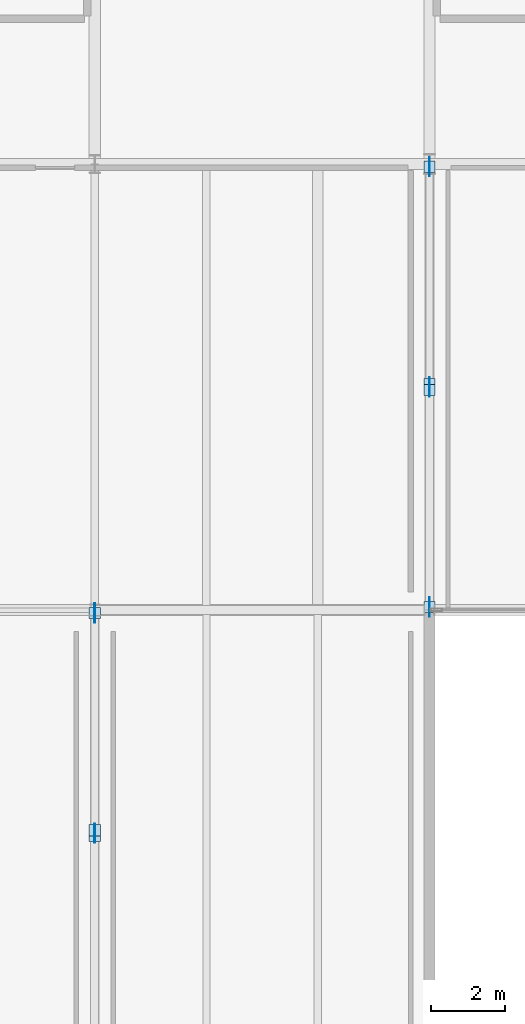
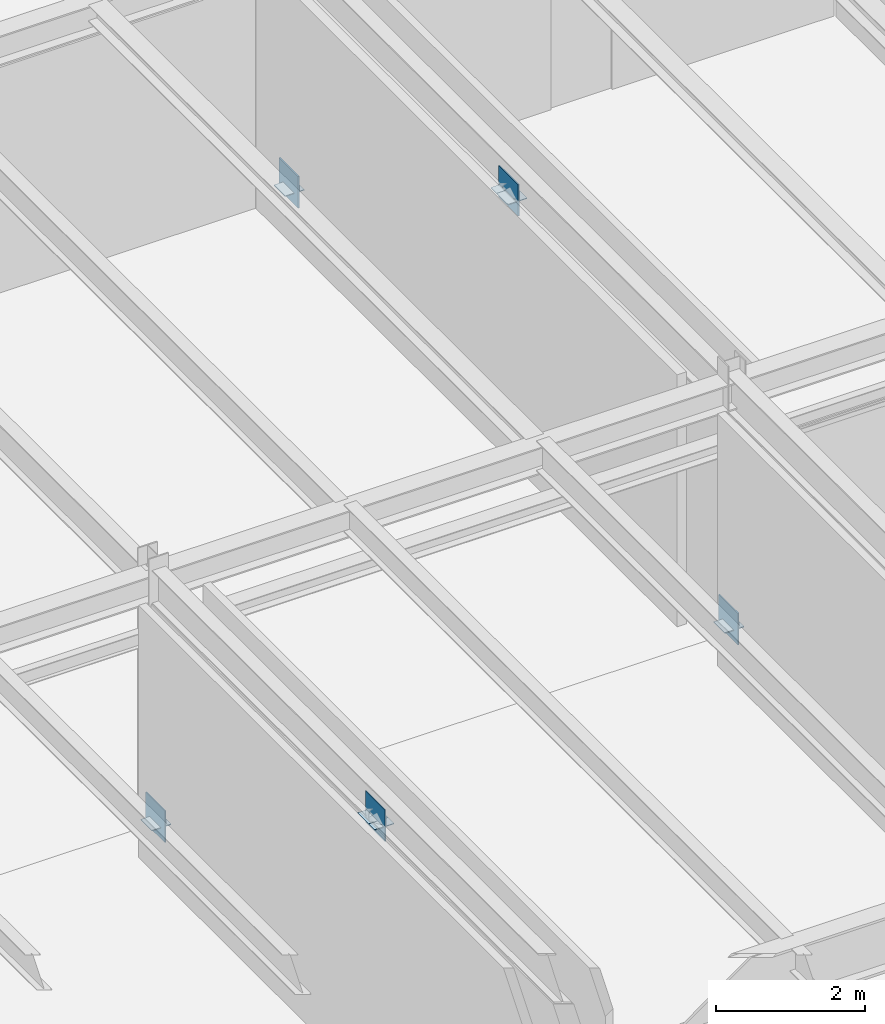
# One storey, part 100 of 115: 12 plates.
"""IFC4 building model written with IfcOpenShell, lengths in metres."""

from ifc_helpers import new_model, si_unit, direction, frame, origin, origin_2d, place, context, subcontext, project, spatial, rectangle, extrude, material, layer, layer_set, type_object, element, save


model = new_model("IFC4")

# Units and contexts
model_context = context("Model", 3, precision=1e-05, world=origin(), true_north=direction((0.0, 1.0)))
body_context = subcontext(model_context, "Body", "Model", "MODEL_VIEW")
ifc_project = project(units=[si_unit("LENGTHUNIT", "METRE"), si_unit("AREAUNIT", "SQUARE_METRE"), si_unit("VOLUMEUNIT", "CUBIC_METRE"), si_unit("PLANEANGLEUNIT", "RADIAN"), si_unit("MASSUNIT", "GRAM", prefix="KILO")], contexts=[model_context])

# Site, building, storey
site_placement = place(None, origin())
site = spatial("IfcSite", under=ifc_project, at=site_placement, CompositionType="ELEMENT")
building_placement = place(site_placement, origin())
building = spatial("IfcBuilding", under=site, at=building_placement, Name="Montelvaro Courts of Justice", CompositionType="ELEMENT")
storey_placement = place(building_placement, frame((0.0, 0.0, 9.89990234375)))
storey = spatial("IfcBuildingStorey", under=building, at=storey_placement, Name="L02", CompositionType="ELEMENT", Elevation=9.89990234375)

# Plates
ifc_material = material(Name="Steel S355", Category="steel")
ifc_layer_1 = layer(ifc_material, 0.011962890625)
ifc_layer_set_1 = layer_set([ifc_layer_1], Name="Steel S355")
plate_type_1 = type_object("IfcPlateType", Name="EndCapPlate_12", PredefinedType="USERDEFINED", material=ifc_layer_set_1)
for number, where, z_axis, x_axis, name in (
    (1, (126.0, 66.080078125, 0.07421875), (0.0, 0.0, 1.0), (1.0, 0.0, 0.0), "Brace End Cap Plate CP-01 CBF3-L02-1A"),
    (2, (126.0, 71.919921875, 3.57421875), (0.0, 0.0, 1.0), (1.0, 0.0, 0.0), "Brace End Cap Plate CP-01 CBF3-L02-1B"),
    (3, (126.0, 77.919921875, 0.07421875), (0.0, 0.0, 1.0), (1.0, 0.0, 0.0), "Brace End Cap Plate CP-01 CBF3-L02-2A"),
    (4, (126.0, 72.080078125, 3.57421875), (0.0, 0.0, 1.0), (1.0, 0.0, 0.0), "Brace End Cap Plate CP-01 CBF3-L02-2B"),
    (5, (117.0, 59.919921875, 3.72412109375), (0.0, 0.0, 1.0), (1.0, 0.0, 0.0), "Brace End Cap Plate CP-01 CBF4-L02-1B"),
    (6, (117.0, 65.919921875, 0.07421875), (0.0, 0.0, 1.0), (1.0, 0.0, 0.0), "Brace End Cap Plate CP-01 CBF4-L02-2A"),
    (7, (117.0, 60.080078125, 3.72412109375), (0.0, 0.0, 1.0), (1.0, 0.0, 0.0), "Brace End Cap Plate CP-01 CBF4-L02-2B"),
):
    element("IfcPlate", number, at=place(storey_placement, frame(where, z_axis=z_axis, x_axis=x_axis)), inside=storey, type_object=plate_type_1, Name=name, ObjectType="GUSSET PLATE", PredefinedType="USERDEFINED", context=body_context, shape_type="SweptSolid", body=[
        extrude(rectangle(XDim=0.300048828125, YDim=0.300048828125, at=origin_2d()), origin(), (0.0, 0.0, 1.0), 0.011962890625),
    ])
ifc_layer_2 = layer(ifc_material, 0.02001953125)
ifc_layer_set_2 = layer_set([ifc_layer_2], Name="Steel S355")
plate_type_2 = type_object("IfcPlateType", Name="GussetPlate_20", PredefinedType="USERDEFINED", material=ifc_layer_set_2)
for number, where, z_axis, x_axis, name in (
    (8, (126.0, 66.080078125, -0.099853515625), (0.0, 0.0, 1.0), (1.0, 0.0, 0.0), "Chevron Brace Base Gusset Plate GP-01 CBF3-L02-B1"),
    (9, (126.0, 77.919921875, -0.099853515625), (0.0, 0.0, 1.0), (1.0, 0.0, 0.0), "Chevron Brace Base Gusset Plate GP-01 CBF3-L02-B2"),
    (10, (126.0, 72.0, 3.360107421875), (0.0, 0.0, 1.0), (1.0, 0.0, 0.0), "Chevron Brace Gusset Plate GP-01 CBF3-L02"),
    (11, (117.0, 65.919921875, -0.099853515625), (0.0, 0.0, 1.0), (1.0, 0.0, 0.0), "Chevron Brace Base Gusset Plate GP-01 CBF4-L02-B2"),
    (12, (117.0, 60.0, 3.510009765625), (0.0, 0.0, 1.0), (1.0, 0.0, 0.0), "Chevron Brace Gusset Plate GP-01 CBF4-L02"),
):
    element("IfcPlate", number, at=place(storey_placement, frame(where, z_axis=z_axis, x_axis=x_axis)), inside=storey, type_object=plate_type_2, Name=name, ObjectType="GUSSET PLATE", PredefinedType="USERDEFINED", context=body_context, shape_type="SweptSolid", body=[
        extrude(rectangle(XDim=0.02001953125, YDim=0.52001953125, at=origin_2d()), origin(), (0.0, 0.0, 1.0), 0.52001953125),
    ])

save(model, "model.ifc")
